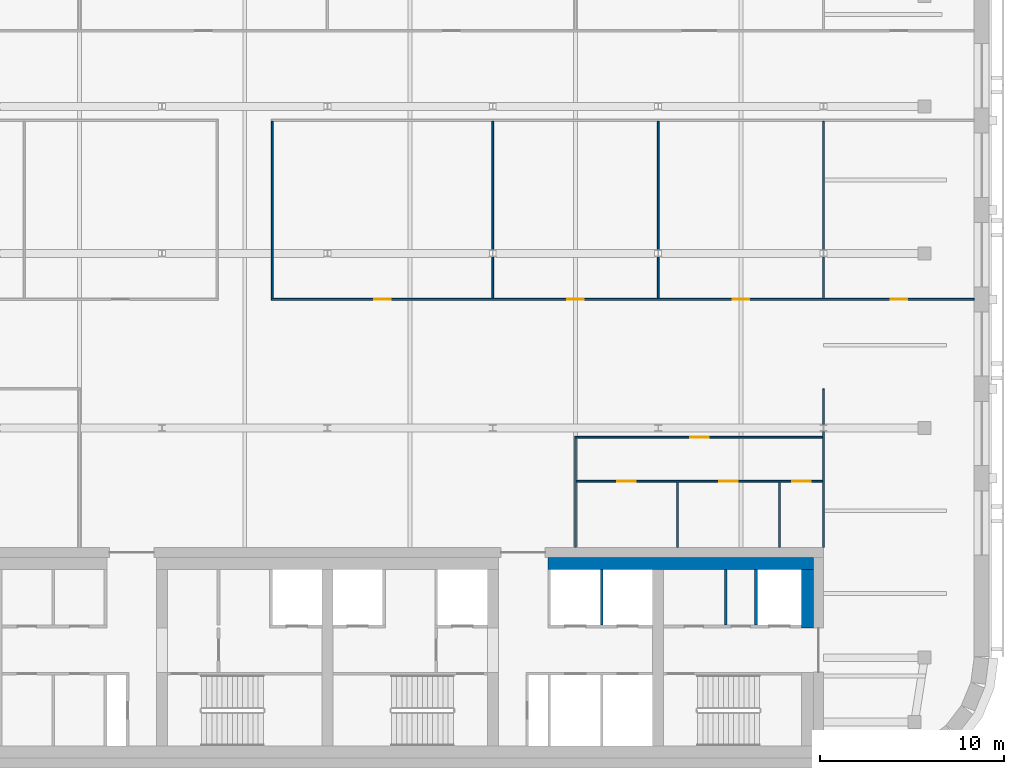
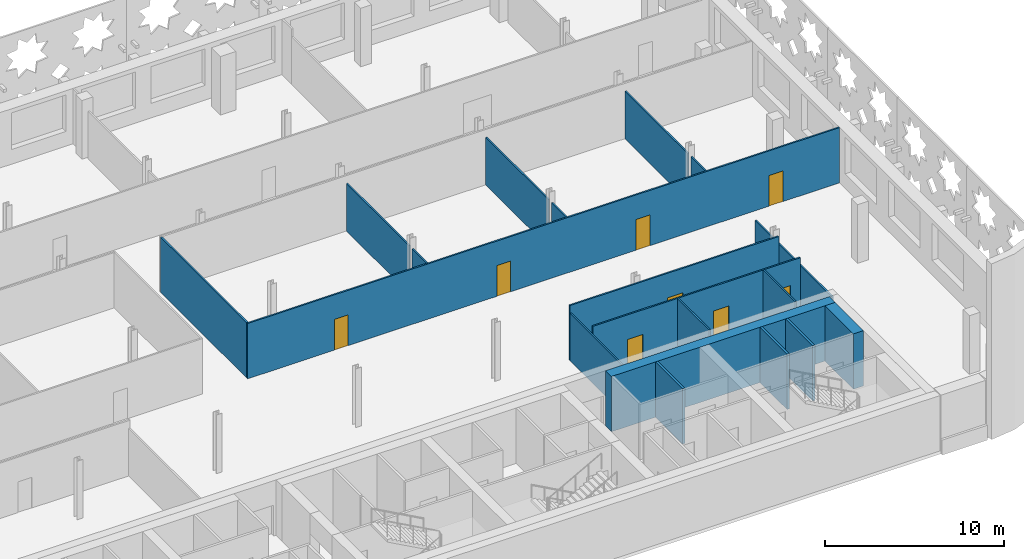
# One storey, part 8 of 16: 20 walls, 8 doors, 8 openings.
"""IFC4 building model written with IfcOpenShell, lengths in metres."""

from ifc_helpers import new_model, si_unit, direction, frame, frame_2d, origin, place, context, subcontext, project, spatial, rectangle, extrude, material, layer, layer_set, type_object, element, fill, save


model = new_model("IFC4")

# Units and contexts
model_context = context("Model", 3, precision=1e-05, world=origin(), true_north=direction((0.0, 1.0)))
body_context = subcontext(model_context, "Body", "Model", "MODEL_VIEW")
ifc_project = project(units=[si_unit("LENGTHUNIT", "METRE"), si_unit("AREAUNIT", "SQUARE_METRE"), si_unit("VOLUMEUNIT", "CUBIC_METRE"), si_unit("PLANEANGLEUNIT", "RADIAN"), si_unit("MASSUNIT", "GRAM", prefix="KILO")], contexts=[model_context])

# Site, building, storey
site_placement = place(None, origin())
site = spatial("IfcSite", under=ifc_project, at=site_placement, CompositionType="ELEMENT")
building_placement = place(site_placement, origin())
building = spatial("IfcBuilding", under=site, at=building_placement, Name="Zellij Exchange Tower", CompositionType="ELEMENT")
storey_placement = place(building_placement, frame((0.0, 0.0, 272.5)))
storey = spatial("IfcBuildingStorey", under=building, at=storey_placement, Name="L64", CompositionType="ELEMENT", Elevation=272.5)

# Walls
ifc_material_1 = material(Name="Concrete C30/37", Category="concrete")
ifc_layer_1 = layer(ifc_material_1, 0.64990234375)
ifc_layer_set_1 = layer_set([ifc_layer_1], Name="Concrete C30/37")
wall_type_1 = type_object("IfcWallType", Name="CORE-LW 650 C30/37", PredefinedType="SHEAR", material=ifc_layer_set_1)
wall_1_placement = place(storey_placement, frame((12.0, -2.875, 0.0), z_axis=(0.0, 0.0, 1.0), x_axis=(1.0, 0.0, 0.0)))
element("IfcWall", 1, at=wall_1_placement, inside=storey, type_object=wall_type_1, Name="Core wall lining front.2 L64", PredefinedType="SHEAR", context=body_context, shape_type="SweptSolid", body=[
    extrude(rectangle(XDim=14.449951171875, YDim=0.64990234375, at=frame_2d((7.22509765625, 0.0))), origin(), (0.0, 0.0, 1.0), 3.780029296875),
])
wall_2_placement = place(storey_placement, frame((26.125, -6.375, 0.0), z_axis=(0.0, 0.0, 1.0), x_axis=(0.0, 1.0, 0.0)))
element("IfcWall", 2, at=wall_2_placement, inside=storey, type_object=wall_type_1, Name="Core wall lining end e.1 L64", PredefinedType="SHEAR", context=body_context, shape_type="SweptSolid", body=[
    extrude(rectangle(XDim=3.175048828125, YDim=0.64990234375, at=frame_2d((1.58740234375, 0.0))), origin(), (0.0, 0.0, 1.0), 3.780029296875),
])
ifc_material_2 = material(Name="Gypsum board partition")
ifc_layer_2 = layer(ifc_material_2, 0.14990234375)
ifc_layer_set_2 = layer_set([ifc_layer_2], Name="Gypsum board partition")
wall_type_2 = type_object("IfcWallType", Name="CORE-PW 150 Lift lobby wall", PredefinedType="PARTITIONING", material=ifc_layer_set_2)
wall_3_placement = place(storey_placement, frame((21.675048828125, -6.22509765625, 0.0), z_axis=(0.0, 0.0, 1.0), x_axis=(0.0, 1.0, 0.0)))
element("IfcWall", 3, at=wall_3_placement, inside=storey, type_object=wall_type_2, Name="Lift lobby wall L64", PredefinedType="PARTITIONING", context=body_context, shape_type="SweptSolid", body=[
    extrude(rectangle(XDim=3.025146484375, YDim=0.14990234375, at=frame_2d((1.5126953125, 0.0))), origin(), (0.0, 0.0, 1.0), 3.780029296875),
])
ifc_material_3 = material(Name="Gypsum shaft wall system")
ifc_layer_3 = layer(ifc_material_3, 0.14990234375)
ifc_layer_set_3 = layer_set([ifc_layer_3], Name="Gypsum shaft wall system")
wall_type_3 = type_object("IfcWallType", Name="CORE-PW 150 Lift shaft wall", PredefinedType="PARTITIONING", material=ifc_layer_set_3)
for number, where, z_axis, x_axis, name in (
    (4, (14.925048828125, -6.22509765625, 0.0), (0.0, 0.0, 1.0), (0.0, 1.0, 0.0), "Lift shaft wall L64"),
    (5, (23.324951171875, -6.22509765625, 0.0), (0.0, 0.0, 1.0), (0.0, 1.0, 0.0), "Lift shaft wall L64"),
):
    element("IfcWall", number, at=place(storey_placement, frame(where, z_axis=z_axis, x_axis=x_axis)), inside=storey, type_object=wall_type_3, Name=name, PredefinedType="PARTITIONING", context=body_context, shape_type="SweptSolid", body=[
        extrude(rectangle(XDim=3.025146484375, YDim=0.14990234375, at=frame_2d((1.5126953125, 0.0))), origin(), (0.0, 0.0, 1.0), 3.780029296875),
    ])
ifc_material_4 = material(Name="Gypsum board partition on steel studs", Category="steel")
ifc_layer_4 = layer(ifc_material_4, 0.10009765625)
ifc_layer_set_4 = layer_set([ifc_layer_4], Name="Gypsum board partition on steel studs")
wall_type_4 = type_object("IfcWallType", Name="FIT-PARTITION-100", PredefinedType="PARTITIONING", material=ifc_layer_set_4)
wall_4_placement = place(storey_placement, frame((13.5, -2.0, 0.0), z_axis=(0.0, 0.0, 1.0), x_axis=(0.0, 1.0, 0.0)))
element("IfcWall", 6, at=wall_4_placement, inside=storey, type_object=wall_type_4, Name="FIT-PARTITION-100 004", PredefinedType="PARTITIONING", context=body_context, shape_type="SweptSolid", body=[
    extrude(rectangle(XDim=5.949951171875, YDim=0.10009765625, at=frame_2d((2.97509765625, 0.0))), origin(), (0.0, 0.0, 1.0), 3.24658203125),
])
for number, where, z_axis, x_axis, name in (
    (7, (19.050048828125, -2.0, 0.0), (0.0, 0.0, 1.0), (0.0, 1.0, 0.0), "FIT-PARTITION-100 005"),
    (8, (24.60009765625, -2.0, 0.0), (0.0, 0.0, 1.0), (0.0, 1.0, 0.0), "FIT-PARTITION-100 006"),
):
    element("IfcWall", number, at=place(storey_placement, frame(where, z_axis=z_axis, x_axis=x_axis)), inside=storey, type_object=wall_type_4, Name=name, PredefinedType="PARTITIONING", context=body_context, shape_type="SweptSolid", body=[
        extrude(rectangle(XDim=3.550048828125, YDim=0.10009765625, at=frame_2d((1.77490234375, 0.0))), origin(), (0.0, 0.0, 1.0), 3.780029296875),
    ])
wall_5_placement = place(storey_placement, frame((27.0, -2.0, 0.0), z_axis=(0.0, 0.0, 1.0), x_axis=(0.0, 1.0, 0.0)))
element("IfcWall", 9, at=wall_5_placement, inside=storey, type_object=wall_type_4, Name="FIT-PARTITION-100 007", PredefinedType="PARTITIONING", context=body_context, shape_type="SweptSolid", body=[
    extrude(rectangle(XDim=6.313232421875, YDim=0.10009765625, at=frame_2d((3.15673828125, 0.0))), origin(), (0.0, 0.0, 1.0), 3.24658203125),
])
wall_6_placement = place(storey_placement, frame((27.0, 4.686767578125, 0.0), z_axis=(0.0, 0.0, 1.0), x_axis=(0.0, 1.0, 0.0)))
element("IfcWall", 10, at=wall_6_placement, inside=storey, type_object=wall_type_4, Name="FIT-PARTITION-100 008", PredefinedType="PARTITIONING", context=body_context, shape_type="SweptSolid", body=[
    extrude(rectangle(XDim=1.943115234375, YDim=0.10009765625, at=frame_2d((0.9716796875, 0.0))), origin(), (0.0, 0.0, 1.0), 3.24658203125),
])

# Wall, openings, doors
wall_7_placement = place(storey_placement, frame((13.550048828125, 1.60009765625, 0.0), z_axis=(0.0, 0.0, 1.0), x_axis=(1.0, 0.0, 0.0)))
wall_7 = element("IfcWall", 11, at=wall_7_placement, inside=storey, type_object=wall_type_4, Name="FIT-PARTITION-100 009", PredefinedType="PARTITIONING", context=body_context, shape_type="SweptSolid", body=[
    extrude(rectangle(XDim=13.39990234375, YDim=0.10009765625, at=frame_2d((6.699951171875, 0.0))), origin(), (0.0, 0.0, 1.0), 3.780029296875),
])
opening_1_placement = place(wall_7_placement, frame((2.22509765625, 0.0, 0.0)))
opening_1 = element("IfcOpeningElement", 12, at=opening_1_placement, cuts=wall_7, Name="Opening EX1.01", PredefinedType="OPENING", context=body_context, shape_type="SweptSolid", body=[
    extrude(rectangle(XDim=1.0, YDim=2.10009765625, at=frame_2d((0.5, 1.050048828125))), frame((0.0, 0.06201171875, 0.0), z_axis=(0.0, -1.0, 0.0), x_axis=(1.0, 0.0, 0.0)), (0.0, 0.0, 1.0), 0.1240234375),
])
opening_2_placement = place(wall_7_placement, frame((7.77490234375, 0.0, 0.0)))
opening_2 = element("IfcOpeningElement", 13, at=opening_2_placement, cuts=wall_7, Name="Opening EX1.02", PredefinedType="OPENING", context=body_context, shape_type="SweptSolid", body=[
    extrude(rectangle(XDim=1.0, YDim=2.10009765625, at=frame_2d((0.5, 1.050048828125))), frame((0.0, 0.06201171875, 0.0), z_axis=(0.0, -1.0, 0.0), x_axis=(1.0, 0.0, 0.0)), (0.0, 0.0, 1.0), 0.1240234375),
])
opening_3_placement = place(wall_7_placement, frame((11.75, 0.0, 0.0)))
opening_3 = element("IfcOpeningElement", 14, at=opening_3_placement, cuts=wall_7, Name="Opening EX1.03", PredefinedType="OPENING", context=body_context, shape_type="SweptSolid", body=[
    extrude(rectangle(XDim=1.0, YDim=2.10009765625, at=frame_2d((0.5, 1.050048828125))), frame((0.0, 0.06201171875, 0.0), z_axis=(0.0, -1.0, 0.0), x_axis=(1.0, 0.0, 0.0)), (0.0, 0.0, 1.0), 0.1240234375),
])
ifc_material_5 = material(Name="Timber door set", Category="wood")
door_type_1 = type_object("IfcDoorType", Name="FIT-D2-WIDE-1000X2100", OperationType="SINGLE_SWING_LEFT", PredefinedType="DOOR", material=ifc_material_5)
door_1_placement = place(opening_1_placement, origin())
door_1 = element("IfcDoor", 15, at=door_1_placement, inside=storey, type_object=door_type_1, Name="Door EX1.01", OperationType="SINGLE_SWING_LEFT", OverallHeight=2.10009765625, OverallWidth=1.0, PredefinedType="DOOR", context=body_context, shape_type="SweptSolid", body=[
    extrude(rectangle(XDim=1.0, YDim=2.10009765625, at=frame_2d((0.5, 1.050048828125))), frame((0.0, 0.02490234375, 0.0), z_axis=(0.0, -1.0, 0.0), x_axis=(1.0, 0.0, 0.0)), (0.0, 0.0, 1.0), 0.050048828125),
])
fill(opening_1, door_1)
door_2_placement = place(opening_2_placement, origin())
door_2 = element("IfcDoor", 16, at=door_2_placement, inside=storey, type_object=door_type_1, Name="Door EX1.02", OperationType="SINGLE_SWING_RIGHT", OverallHeight=2.10009765625, OverallWidth=1.0, PredefinedType="DOOR", context=body_context, shape_type="SweptSolid", body=[
    extrude(rectangle(XDim=1.0, YDim=2.10009765625, at=frame_2d((0.5, 1.050048828125))), frame((0.0, 0.02490234375, 0.0), z_axis=(0.0, -1.0, 0.0), x_axis=(1.0, 0.0, 0.0)), (0.0, 0.0, 1.0), 0.050048828125),
])
fill(opening_2, door_2)
door_3_placement = place(opening_3_placement, origin())
door_3 = element("IfcDoor", 17, at=door_3_placement, inside=storey, type_object=door_type_1, Name="Door EX1.03", OperationType="SINGLE_SWING_LEFT", OverallHeight=2.10009765625, OverallWidth=1.0, PredefinedType="DOOR", context=body_context, shape_type="SweptSolid", body=[
    extrude(rectangle(XDim=1.0, YDim=2.10009765625, at=frame_2d((0.5, 1.050048828125))), frame((0.0, 0.02490234375, 0.0), z_axis=(0.0, -1.0, 0.0), x_axis=(1.0, 0.0, 0.0)), (0.0, 0.0, 1.0), 0.050048828125),
])
fill(opening_3, door_3)

# Wall, opening, door
wall_8_placement = place(storey_placement, frame((13.449951171875, 4.0, 0.0), z_axis=(0.0, 0.0, 1.0), x_axis=(1.0, 0.0, 0.0)))
wall_8 = element("IfcWall", 18, at=wall_8_placement, inside=storey, type_object=wall_type_4, Name="FIT-PARTITION-100 010", PredefinedType="PARTITIONING", context=body_context, shape_type="SweptSolid", body=[
    extrude(rectangle(XDim=13.5, YDim=0.10009765625, at=frame_2d((6.75, 0.0))), origin(), (0.0, 0.0, 1.0), 3.780029296875),
])
opening_4_placement = place(wall_8_placement, frame((6.300048828125, 0.0, 0.0)))
opening_4 = element("IfcOpeningElement", 19, at=opening_4_placement, cuts=wall_8, Name="Opening EX1.04", PredefinedType="OPENING", context=body_context, shape_type="SweptSolid", body=[
    extrude(rectangle(XDim=1.0, YDim=2.10009765625, at=frame_2d((0.5, 1.050048828125))), frame((0.0, 0.06201171875, 0.0), z_axis=(0.0, -1.0, 0.0), x_axis=(1.0, 0.0, 0.0)), (0.0, 0.0, 1.0), 0.1240234375),
])
door_4_placement = place(opening_4_placement, origin())
door_4 = element("IfcDoor", 20, at=door_4_placement, inside=storey, type_object=door_type_1, Name="Door EX1.04", OperationType="SINGLE_SWING_LEFT", OverallHeight=2.10009765625, OverallWidth=1.0, PredefinedType="DOOR", context=body_context, shape_type="SweptSolid", body=[
    extrude(rectangle(XDim=1.0, YDim=2.10009765625, at=frame_2d((0.5, 1.050048828125))), frame((0.0, 0.02490234375, 0.0), z_axis=(0.0, -1.0, 0.0), x_axis=(1.0, 0.0, 0.0)), (0.0, 0.0, 1.0), 0.050048828125),
])
fill(opening_4, door_4)

# Wall, openings, doors
wall_9_placement = place(storey_placement, frame((-3.050048828125, 11.5, 0.0), z_axis=(0.0, 0.0, 1.0), x_axis=(1.0, 0.0, 0.0)))
wall_9 = element("IfcWall", 21, at=wall_9_placement, inside=storey, type_object=wall_type_4, Name="FIT-PARTITION-100 017", PredefinedType="PARTITIONING", context=body_context, shape_type="SweptSolid", body=[
    extrude(rectangle(XDim=38.25, YDim=0.10009765625, at=frame_2d((19.125, 0.0))), origin(), (0.0, 0.0, 1.0), 3.780029296875),
])
opening_5_placement = place(wall_9_placement, frame((5.60009765625, 0.0, 0.0)))
opening_5 = element("IfcOpeningElement", 22, at=opening_5_placement, cuts=wall_9, Name="Opening EX1.09", PredefinedType="OPENING", context=body_context, shape_type="SweptSolid", body=[
    extrude(rectangle(XDim=0.89990234375, YDim=2.10009765625, at=frame_2d((0.449951171875, 1.050048828125))), frame((0.0, 0.06201171875, 0.0), z_axis=(0.0, -1.0, 0.0), x_axis=(1.0, 0.0, 0.0)), (0.0, 0.0, 1.0), 0.1240234375),
])
opening_6_placement = place(wall_9_placement, frame((16.10009765625, 0.0, 0.0)))
opening_6 = element("IfcOpeningElement", 23, at=opening_6_placement, cuts=wall_9, Name="Opening EX1.10", PredefinedType="OPENING", context=body_context, shape_type="SweptSolid", body=[
    extrude(rectangle(XDim=0.89990234375, YDim=2.10009765625, at=frame_2d((0.449951171875, 1.050048828125))), frame((0.0, 0.06201171875, 0.0), z_axis=(0.0, -1.0, 0.0), x_axis=(1.0, 0.0, 0.0)), (0.0, 0.0, 1.0), 0.1240234375),
])
opening_7_placement = place(wall_9_placement, frame((25.10009765625, 0.0, 0.0)))
opening_7 = element("IfcOpeningElement", 24, at=opening_7_placement, cuts=wall_9, Name="Opening EX1.11", PredefinedType="OPENING", context=body_context, shape_type="SweptSolid", body=[
    extrude(rectangle(XDim=0.89990234375, YDim=2.10009765625, at=frame_2d((0.449951171875, 1.050048828125))), frame((0.0, 0.06201171875, 0.0), z_axis=(0.0, -1.0, 0.0), x_axis=(1.0, 0.0, 0.0)), (0.0, 0.0, 1.0), 0.1240234375),
])
opening_8_placement = place(wall_9_placement, frame((33.699951171875, 0.0, 0.0)))
opening_8 = element("IfcOpeningElement", 25, at=opening_8_placement, cuts=wall_9, Name="Opening EX1.12", PredefinedType="OPENING", context=body_context, shape_type="SweptSolid", body=[
    extrude(rectangle(XDim=0.89990234375, YDim=2.10009765625, at=frame_2d((0.449951171875, 1.050048828125))), frame((0.0, 0.06201171875, 0.0), z_axis=(0.0, -1.0, 0.0), x_axis=(1.0, 0.0, 0.0)), (0.0, 0.0, 1.0), 0.1240234375),
])
door_type_2 = type_object("IfcDoorType", Name="FIT-D1-ROOM-900X2100", OperationType="SINGLE_SWING_LEFT", PredefinedType="DOOR", material=ifc_material_5)
door_5_placement = place(opening_5_placement, origin())
door_5 = element("IfcDoor", 26, at=door_5_placement, inside=storey, type_object=door_type_2, Name="Door EX1.09", OperationType="SINGLE_SWING_LEFT", OverallHeight=2.10009765625, OverallWidth=0.89990234375, PredefinedType="DOOR", context=body_context, shape_type="SweptSolid", body=[
    extrude(rectangle(XDim=0.89990234375, YDim=2.10009765625, at=frame_2d((0.449951171875, 1.050048828125))), frame((0.0, 0.02490234375, 0.0), z_axis=(0.0, -1.0, 0.0), x_axis=(1.0, 0.0, 0.0)), (0.0, 0.0, 1.0), 0.050048828125),
])
fill(opening_5, door_5)
door_6_placement = place(opening_6_placement, origin())
door_6 = element("IfcDoor", 27, at=door_6_placement, inside=storey, type_object=door_type_2, Name="Door EX1.10", OperationType="SINGLE_SWING_LEFT", OverallHeight=2.10009765625, OverallWidth=0.89990234375, PredefinedType="DOOR", context=body_context, shape_type="SweptSolid", body=[
    extrude(rectangle(XDim=0.89990234375, YDim=2.10009765625, at=frame_2d((0.449951171875, 1.050048828125))), frame((0.0, 0.02490234375, 0.0), z_axis=(0.0, -1.0, 0.0), x_axis=(1.0, 0.0, 0.0)), (0.0, 0.0, 1.0), 0.050048828125),
])
fill(opening_6, door_6)
door_7_placement = place(opening_7_placement, origin())
door_7 = element("IfcDoor", 28, at=door_7_placement, inside=storey, type_object=door_type_2, Name="Door EX1.11", OperationType="SINGLE_SWING_LEFT", OverallHeight=2.10009765625, OverallWidth=0.89990234375, PredefinedType="DOOR", context=body_context, shape_type="SweptSolid", body=[
    extrude(rectangle(XDim=0.89990234375, YDim=2.10009765625, at=frame_2d((0.449951171875, 1.050048828125))), frame((0.0, 0.02490234375, 0.0), z_axis=(0.0, -1.0, 0.0), x_axis=(1.0, 0.0, 0.0)), (0.0, 0.0, 1.0), 0.050048828125),
])
fill(opening_7, door_7)
door_8_placement = place(opening_8_placement, origin())
door_8 = element("IfcDoor", 29, at=door_8_placement, inside=storey, type_object=door_type_2, Name="Door EX1.12", OperationType="SINGLE_SWING_LEFT", OverallHeight=2.10009765625, OverallWidth=0.89990234375, PredefinedType="DOOR", context=body_context, shape_type="SweptSolid", body=[
    extrude(rectangle(XDim=0.89990234375, YDim=2.10009765625, at=frame_2d((0.449951171875, 1.050048828125))), frame((0.0, 0.02490234375, 0.0), z_axis=(0.0, -1.0, 0.0), x_axis=(1.0, 0.0, 0.0)), (0.0, 0.0, 1.0), 0.050048828125),
])
fill(opening_8, door_8)

# Walls
wall_10_placement = place(storey_placement, frame((-3.0, 11.550048828125, 0.0), z_axis=(0.0, 0.0, 1.0), x_axis=(0.0, 1.0, 0.0)))
element("IfcWall", 30, at=wall_10_placement, inside=storey, type_object=wall_type_4, Name="FIT-PARTITION-100 018", PredefinedType="PARTITIONING", context=body_context, shape_type="SweptSolid", body=[
    extrude(rectangle(XDim=9.639892578125, YDim=0.10009765625, at=frame_2d((4.81982421875, 0.0))), origin(), (0.0, 0.0, 1.0), 3.780029296875),
])
wall_11_placement = place(storey_placement, frame((9.0, 11.550048828125, 0.0), z_axis=(0.0, 0.0, 1.0), x_axis=(0.0, 1.0, 0.0)))
element("IfcWall", 31, at=wall_11_placement, inside=storey, type_object=wall_type_4, Name="FIT-PARTITION-100 019", PredefinedType="PARTITIONING", context=body_context, shape_type="SweptSolid", body=[
    extrude(rectangle(XDim=2.26318359375, YDim=0.10009765625, at=frame_2d((1.131591796875, 0.0))), origin(), (0.0, 0.0, 1.0), 3.24658203125),
])
wall_12_placement = place(storey_placement, frame((9.0, 14.186767578125, 0.0), z_axis=(0.0, 0.0, 1.0), x_axis=(0.0, 1.0, 0.0)))
element("IfcWall", 32, at=wall_12_placement, inside=storey, type_object=wall_type_4, Name="FIT-PARTITION-100 020", PredefinedType="PARTITIONING", context=body_context, shape_type="SweptSolid", body=[
    extrude(rectangle(XDim=7.003173828125, YDim=0.10009765625, at=frame_2d((3.50146484375, 0.0))), origin(), (0.0, 0.0, 1.0), 3.24658203125),
])
wall_13_placement = place(storey_placement, frame((18.0, 11.550048828125, 0.0), z_axis=(0.0, 0.0, 1.0), x_axis=(0.0, 1.0, 0.0)))
element("IfcWall", 33, at=wall_13_placement, inside=storey, type_object=wall_type_4, Name="FIT-PARTITION-100 021", PredefinedType="PARTITIONING", context=body_context, shape_type="SweptSolid", body=[
    extrude(rectangle(XDim=2.26318359375, YDim=0.10009765625, at=frame_2d((1.131591796875, 0.0))), origin(), (0.0, 0.0, 1.0), 3.24658203125),
])
wall_14_placement = place(storey_placement, frame((18.0, 14.186767578125, 0.0), z_axis=(0.0, 0.0, 1.0), x_axis=(0.0, 1.0, 0.0)))
element("IfcWall", 34, at=wall_14_placement, inside=storey, type_object=wall_type_4, Name="FIT-PARTITION-100 022", PredefinedType="PARTITIONING", context=body_context, shape_type="SweptSolid", body=[
    extrude(rectangle(XDim=7.003173828125, YDim=0.10009765625, at=frame_2d((3.50146484375, 0.0))), origin(), (0.0, 0.0, 1.0), 3.24658203125),
])
wall_15_placement = place(storey_placement, frame((27.0, 11.550048828125, 0.0), z_axis=(0.0, 0.0, 1.0), x_axis=(0.0, 1.0, 0.0)))
element("IfcWall", 35, at=wall_15_placement, inside=storey, type_object=wall_type_4, Name="FIT-PARTITION-100 023", PredefinedType="PARTITIONING", context=body_context, shape_type="SweptSolid", body=[
    extrude(rectangle(XDim=2.26318359375, YDim=0.10009765625, at=frame_2d((1.131591796875, 0.0))), origin(), (0.0, 0.0, 1.0), 3.24658203125),
])
wall_16_placement = place(storey_placement, frame((27.0, 14.186767578125, 0.0), z_axis=(0.0, 0.0, 1.0), x_axis=(0.0, 1.0, 0.0)))
element("IfcWall", 36, at=wall_16_placement, inside=storey, type_object=wall_type_4, Name="FIT-PARTITION-100 024", PredefinedType="PARTITIONING", context=body_context, shape_type="SweptSolid", body=[
    extrude(rectangle(XDim=7.003173828125, YDim=0.10009765625, at=frame_2d((3.50146484375, 0.0))), origin(), (0.0, 0.0, 1.0), 3.24658203125),
])

save(model, "model.ifc")
